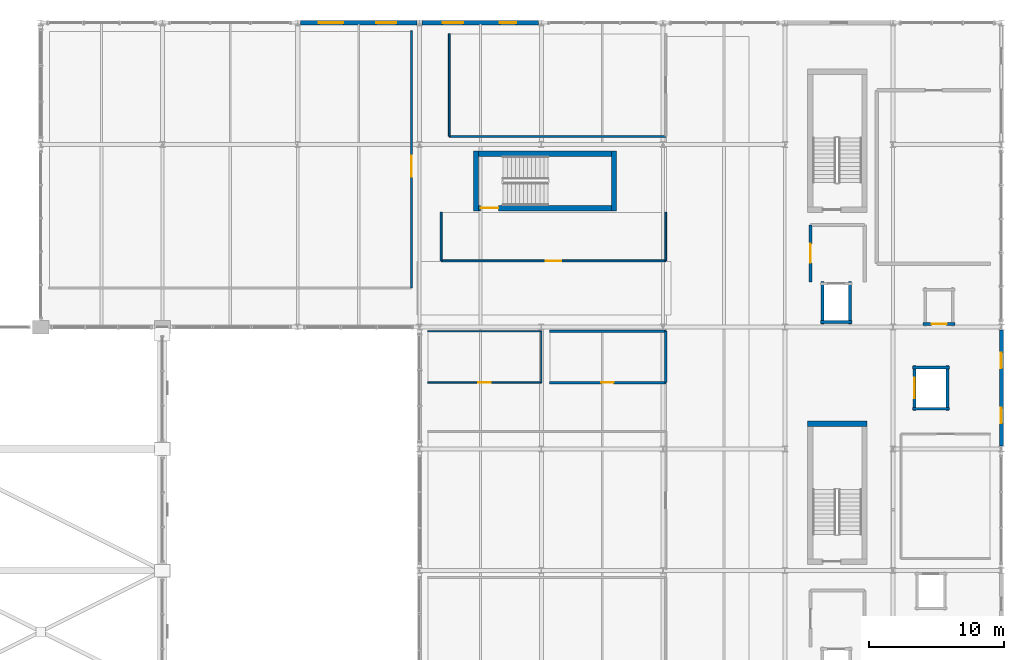
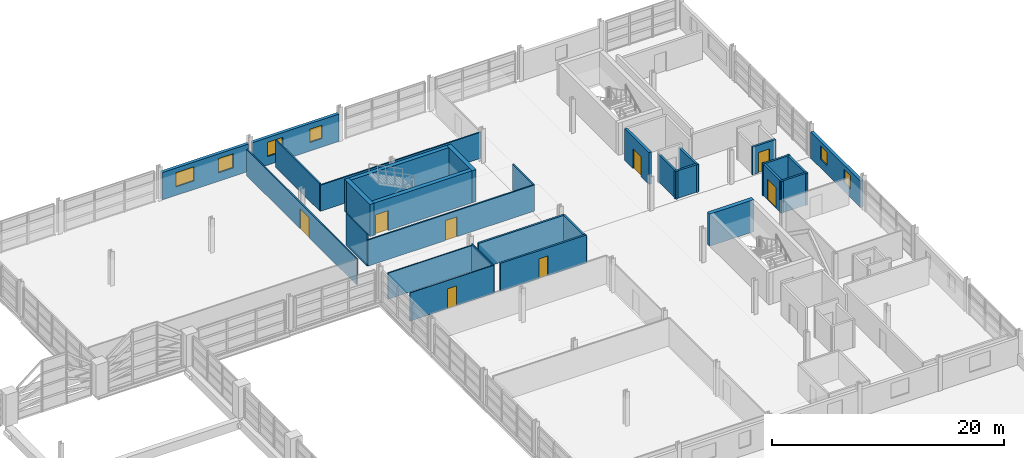
# One storey, part 102 of 116: 29 walls, 8 doors, 6 windows, 14 openings.
"""IFC4 building model written with IfcOpenShell, lengths in metres."""

from ifc_helpers import new_model, si_unit, direction, frame, frame_2d, origin, place, context, subcontext, project, spatial, rectangle, extrude, material, layer, layer_set, type_object, element, fill, save


model = new_model("IFC4")

# Units and contexts
model_context = context("Model", 3, precision=1e-05, world=origin(), true_north=direction((0.0, 1.0)))
body_context = subcontext(model_context, "Body", "Model", "MODEL_VIEW")
ifc_project = project(units=[si_unit("LENGTHUNIT", "METRE"), si_unit("AREAUNIT", "SQUARE_METRE"), si_unit("VOLUMEUNIT", "CUBIC_METRE"), si_unit("PLANEANGLEUNIT", "RADIAN"), si_unit("MASSUNIT", "GRAM", prefix="KILO")], contexts=[model_context])

# Site, building, storey
site_placement = place(None, origin())
site = spatial("IfcSite", under=ifc_project, at=site_placement, CompositionType="ELEMENT")
building_placement = place(site_placement, origin())
building = spatial("IfcBuilding", under=site, at=building_placement, Name="Chuanluo Vaults Station", CompositionType="ELEMENT")
storey_placement = place(building_placement, frame((0.0, 0.0, 10.800048828125)))
storey = spatial("IfcBuildingStorey", under=building, at=storey_placement, Name="L02", CompositionType="ELEMENT", Elevation=10.800048828125)

# Wall
ifc_material_1 = material(Name="Concrete C50", Category="concrete")
ifc_layer_1 = layer(ifc_material_1, 0.39990234375)
ifc_layer_set_1 = layer_set([ifc_layer_1], Name="Concrete C50")
wall_type_1 = type_object("IfcWallType", Name="WL-COR-400", PredefinedType="SHEAR", material=ifc_layer_set_1)
wall_1_placement = place(storey_placement, frame((178.08740234375, 96.37255859375, 0.0), z_axis=(0.0, 0.0, 1.0), x_axis=(-1.0, 0.0, 0.0)))
element("IfcWall", 1, at=wall_1_placement, inside=storey, type_object=wall_type_1, Name="Core K1 far shear wall", PredefinedType="SHEAR", context=body_context, shape_type="SweptSolid", body=[
    extrude(rectangle(XDim=4.419921875, YDim=0.39990234375, at=frame_2d((2.2099609375, 0.0))), origin(), (0.0, 0.0, 1.0), 3.3798828125),
])

# Wall, opening, door
wall_2_placement = place(storey_placement, frame((148.97509765625, 112.300048828125, 0.0), z_axis=(0.0, 0.0, 1.0), x_axis=(1.0, 0.0, 0.0)))
wall_2 = element("IfcWall", 2, at=wall_2_placement, inside=storey, type_object=wall_type_1, Name="Core K3 left shear wall", PredefinedType="SHEAR", context=body_context, shape_type="SweptSolid", body=[
    extrude(rectangle(XDim=10.597412109375, YDim=0.39990234375, at=frame_2d((5.298828125, 0.0))), origin(), (0.0, 0.0, 1.0), 3.3798828125),
])
opening_1_placement = place(wall_2_placement, frame((0.550048828125, 0.0, 0.0)))
opening_1 = element("IfcOpeningElement", 3, at=opening_1_placement, cuts=wall_2, Name="Opening FD-05", PredefinedType="OPENING", context=body_context, shape_type="SweptSolid", body=[
    extrude(rectangle(XDim=1.300048828125, YDim=2.10009765625, at=frame_2d((0.64990234375, 1.050048828125))), frame((0.0, 0.20995, 0.0), z_axis=(0.0, -1.0, 0.0), x_axis=(1.0, 0.0, 0.0)), (0.0, 0.0, 1.0), 0.4199),
])
ifc_material_2 = material(Name="Fire-rated steel leaf", Category="steel")
door_type_1 = type_object("IfcDoorType", Name="DR-FIR-1300x2100", OperationType="NOTDEFINED", PredefinedType="DOOR", material=ifc_material_2)
door_1_placement = place(opening_1_placement, origin())
door_1 = element("IfcDoor", 4, at=door_1_placement, inside=storey, type_object=door_type_1, Name="D-075 Stair ST-03 fire door", OperationType="SINGLE_SWING_RIGHT", OverallHeight=2.10009765625, OverallWidth=1.300048828125, PredefinedType="DOOR", context=body_context, shape_type="SweptSolid", body=[
    extrude(rectangle(XDim=1.300048828125, YDim=2.10009765625, at=frame_2d((0.64990234375, 1.050048828125))), frame((0.0, 0.02490234375, 0.0), z_axis=(0.0, -1.0, 0.0), x_axis=(1.0, 0.0, 0.0)), (0.0, 0.0, 1.0), 0.050048828125),
])
fill(opening_1, door_1)

# Walls
wall_3_placement = place(storey_placement, frame((159.572509765625, 116.320068359375, 0.0), z_axis=(0.0, 0.0, 1.0), x_axis=(-1.0, 0.0, 0.0)))
element("IfcWall", 5, at=wall_3_placement, inside=storey, type_object=wall_type_1, Name="Core K3 right shear wall", PredefinedType="SHEAR", context=body_context, shape_type="SweptSolid", body=[
    extrude(rectangle(XDim=10.597412109375, YDim=0.39990234375, at=frame_2d((5.298828125, 0.0))), origin(), (0.0, 0.0, 1.0), 3.3798828125),
])
for number, where, z_axis, x_axis, name in (
    (6, (159.37255859375, 112.10009765625, 0.0), (0.0, 0.0, 1.0), (0.0, 1.0, 0.0), "Core K3 far shear wall"),
    (7, (149.175048828125, 116.52001953125, 0.0), (0.0, 0.0, 1.0), (0.0, -1.0, 0.0), "Core K3 near shear wall"),
):
    element("IfcWall", number, at=place(storey_placement, frame(where, z_axis=z_axis, x_axis=x_axis)), inside=storey, type_object=wall_type_1, Name=name, PredefinedType="SHEAR", context=body_context, shape_type="SweptSolid", body=[
        extrude(rectangle(XDim=4.419921875, YDim=0.39990234375, at=frame_2d((2.2099609375, 0.0))), origin(), (0.0, 0.0, 1.0), 3.3798828125),
    ])

# Wall, openings, windows
ifc_material_3 = material(Name="Concrete C40", Category="concrete")
ifc_layer_2 = layer(ifc_material_3, 0.300048828125)
ifc_layer_set_2 = layer_set([ifc_layer_2], Name="Concrete C40")
wall_type_2 = type_object("IfcWallType", Name="WL-EXT-300", PredefinedType="SOLIDWALL", material=ifc_layer_set_2)
wall_4_placement = place(storey_placement, frame((136.199951171875, 126.0, 0.0), z_axis=(0.0, 0.0, 1.0), x_axis=(1.0, 0.0, 0.0)))
wall_4 = element("IfcWall", 8, at=wall_4_placement, inside=storey, type_object=wall_type_2, Name="L02 exterior punched wall 11", PredefinedType="SOLIDWALL", context=body_context, shape_type="SweptSolid", body=[
    extrude(rectangle(XDim=8.60009765625, YDim=0.300048828125, at=frame_2d((4.300048828125, 0.0))), origin(), (0.0, 0.0, 1.0), 2.89501953125),
])
opening_2_placement = place(wall_4_placement, frame((1.364990234375, 0.0, 0.89990234375)))
opening_2 = element("IfcOpeningElement", 9, at=opening_2_placement, cuts=wall_4, Name="Opening W-12", PredefinedType="OPENING", context=body_context, shape_type="SweptSolid", body=[
    extrude(rectangle(XDim=1.800048828125, YDim=1.5, at=frame_2d((0.89990234375, 0.75))), frame((0.0, 0.1599, 0.0), z_axis=(0.0, -1.0, 0.0), x_axis=(1.0, 0.0, 0.0)), (0.0, 0.0, 1.0), 0.32005),
])
opening_3_placement = place(wall_4_placement, frame((5.5849609375, 0.0, 0.89990234375)))
opening_3 = element("IfcOpeningElement", 10, at=opening_3_placement, cuts=wall_4, Name="Opening W-13", PredefinedType="OPENING", context=body_context, shape_type="SweptSolid", body=[
    extrude(rectangle(XDim=1.5, YDim=1.5, at=frame_2d((0.75, 0.75))), frame((0.0, 0.1599, 0.0), z_axis=(0.0, -1.0, 0.0), x_axis=(1.0, 0.0, 0.0)), (0.0, 0.0, 1.0), 0.32005),
])
ifc_material_4 = material(Name="Double-silver Low-E laminated glass", Category="glass")
window_type_1 = type_object("IfcWindowType", Name="WN-OPS-1500x1500", PartitioningType="SINGLE_PANEL", PredefinedType="WINDOW", material=ifc_material_4)
window_1_placement = place(opening_3_placement, origin())
window_1 = element("IfcWindow", 11, at=window_1_placement, inside=storey, type_object=window_type_1, Name="W-081 L02 facade window", OverallHeight=1.5, OverallWidth=1.5, PartitioningType="SINGLE_PANEL", PredefinedType="WINDOW", context=body_context, shape_type="SweptSolid", body=[
    extrude(rectangle(XDim=1.5, YDim=1.5, at=frame_2d((0.75, 0.75))), frame((0.0, 0.030029296875, 0.0), z_axis=(0.0, -1.0, 0.0), x_axis=(1.0, 0.0, 0.0)), (0.0, 0.0, 1.0), 0.06005859375),
])
fill(opening_3, window_1)
ifc_material_5 = material(Name="Double-silver Low-E laminated glass", Category="glass")
window_type_2 = type_object("IfcWindowType", Name="WN-OPS-1800x1500", PartitioningType="SINGLE_PANEL", PredefinedType="WINDOW", material=ifc_material_5)
window_2_placement = place(opening_2_placement, origin())
window_2 = element("IfcWindow", 12, at=window_2_placement, inside=storey, type_object=window_type_2, Name="W-080 L02 facade window", OverallHeight=1.5, OverallWidth=1.800048828125, PartitioningType="SINGLE_PANEL", PredefinedType="WINDOW", context=body_context, shape_type="SweptSolid", body=[
    extrude(rectangle(XDim=1.800048828125, YDim=1.5, at=frame_2d((0.89990234375, 0.75))), frame((0.0, 0.030029296875, 0.0), z_axis=(0.0, -1.0, 0.0), x_axis=(1.0, 0.0, 0.0)), (0.0, 0.0, 1.0), 0.06005859375),
])
fill(opening_2, window_2)

wall_5_placement = place(storey_placement, frame((145.199951171875, 126.0, 0.0), z_axis=(0.0, 0.0, 1.0), x_axis=(1.0, 0.0, 0.0)))
wall_5 = element("IfcWall", 13, at=wall_5_placement, inside=storey, type_object=wall_type_2, Name="L02 exterior punched wall 12", PredefinedType="SOLIDWALL", context=body_context, shape_type="SweptSolid", body=[
    extrude(rectangle(XDim=8.60009765625, YDim=0.300048828125, at=frame_2d((4.300048828125, 0.0))), origin(), (0.0, 0.0, 1.0), 2.89501953125),
])
opening_4_placement = place(wall_5_placement, frame((1.514892578125, 0.0, 0.89990234375)))
opening_4 = element("IfcOpeningElement", 14, at=opening_4_placement, cuts=wall_5, Name="Opening W-13", PredefinedType="OPENING", context=body_context, shape_type="SweptSolid", body=[
    extrude(rectangle(XDim=1.5, YDim=1.5, at=frame_2d((0.75, 0.75))), frame((0.0, 0.1599, 0.0), z_axis=(0.0, -1.0, 0.0), x_axis=(1.0, 0.0, 0.0)), (0.0, 0.0, 1.0), 0.32005),
])
opening_5_placement = place(wall_5_placement, frame((5.735107421875, 0.0, 0.89990234375)))
opening_5 = element("IfcOpeningElement", 15, at=opening_5_placement, cuts=wall_5, Name="Opening W-14", PredefinedType="OPENING", context=body_context, shape_type="SweptSolid", body=[
    extrude(rectangle(XDim=1.199951171875, YDim=1.39990234375, at=frame_2d((0.60009765625, 0.699951171875))), frame((0.0, 0.1599, 0.0), z_axis=(0.0, -1.0, 0.0), x_axis=(1.0, 0.0, 0.0)), (0.0, 0.0, 1.0), 0.32005),
])
ifc_material_6 = material(Name="Double-silver Low-E laminated glass", Category="glass")
window_type_3 = type_object("IfcWindowType", Name="WN-OPS-1200x1400", PartitioningType="SINGLE_PANEL", PredefinedType="WINDOW", material=ifc_material_6)
window_3_placement = place(opening_5_placement, origin())
window_3 = element("IfcWindow", 16, at=window_3_placement, inside=storey, type_object=window_type_3, Name="W-083 L02 facade window", OverallHeight=1.39990234375, OverallWidth=1.199951171875, PartitioningType="SINGLE_PANEL", PredefinedType="WINDOW", context=body_context, shape_type="SweptSolid", body=[
    extrude(rectangle(XDim=1.199951171875, YDim=1.39990234375, at=frame_2d((0.60009765625, 0.699951171875))), frame((0.0, 0.030029296875, 0.0), z_axis=(0.0, -1.0, 0.0), x_axis=(1.0, 0.0, 0.0)), (0.0, 0.0, 1.0), 0.06005859375),
])
fill(opening_5, window_3)
window_4_placement = place(opening_4_placement, origin())
window_4 = element("IfcWindow", 17, at=window_4_placement, inside=storey, type_object=window_type_1, Name="W-082 L02 facade window", OverallHeight=1.5, OverallWidth=1.5, PartitioningType="SINGLE_PANEL", PredefinedType="WINDOW", context=body_context, shape_type="SweptSolid", body=[
    extrude(rectangle(XDim=1.5, YDim=1.5, at=frame_2d((0.75, 0.75))), frame((0.0, 0.030029296875, 0.0), z_axis=(0.0, -1.0, 0.0), x_axis=(1.0, 0.0, 0.0)), (0.0, 0.0, 1.0), 0.06005859375),
])
fill(opening_4, window_4)

wall_6_placement = place(storey_placement, frame((188.0, 103.2958984375, 0.0), z_axis=(0.0, 0.0, 1.0), x_axis=(0.0, -1.0, 0.0)))
wall_6 = element("IfcWall", 18, at=wall_6_placement, inside=storey, type_object=wall_type_2, Name="L02 exterior punched wall 15", PredefinedType="SOLIDWALL", context=body_context, shape_type="SweptSolid", body=[
    extrude(rectangle(XDim=8.591796875, YDim=0.300048828125, at=frame_2d((4.2958984375, 0.0))), origin(), (0.0, 0.0, 1.0), 2.77490234375),
])
opening_6_placement = place(wall_6_placement, frame((1.68603515625, 0.0, 0.89990234375)))
opening_6 = element("IfcOpeningElement", 19, at=opening_6_placement, cuts=wall_6, Name="Opening W-49", PredefinedType="OPENING", context=body_context, shape_type="SweptSolid", body=[
    extrude(rectangle(XDim=1.14990234375, YDim=1.449951171875, at=frame_2d((0.574951171875, 0.72509765625))), frame((0.0, 0.1599, 0.0), z_axis=(0.0, -1.0, 0.0), x_axis=(1.0, 0.0, 0.0)), (0.0, 0.0, 1.0), 0.32005),
])
opening_7_placement = place(wall_6_placement, frame((5.756103515625, 0.0, 0.89990234375)))
opening_7 = element("IfcOpeningElement", 20, at=opening_7_placement, cuts=wall_6, Name="Opening W-49", PredefinedType="OPENING", context=body_context, shape_type="SweptSolid", body=[
    extrude(rectangle(XDim=1.14990234375, YDim=1.449951171875, at=frame_2d((0.574951171875, 0.72509765625))), frame((0.0, 0.1599, 0.0), z_axis=(0.0, -1.0, 0.0), x_axis=(1.0, 0.0, 0.0)), (0.0, 0.0, 1.0), 0.32005),
])
ifc_material_7 = material(Name="Double-silver Low-E laminated glass", Category="glass")
window_type_4 = type_object("IfcWindowType", Name="WN-OPS-1150x1450", PartitioningType="SINGLE_PANEL", PredefinedType="WINDOW", material=ifc_material_7)
window_5_placement = place(opening_6_placement, origin())
window_5 = element("IfcWindow", 21, at=window_5_placement, inside=storey, type_object=window_type_4, Name="W-087 L02 facade window", OverallHeight=1.449951171875, OverallWidth=1.14990234375, PartitioningType="SINGLE_PANEL", PredefinedType="WINDOW", context=body_context, shape_type="SweptSolid", body=[
    extrude(rectangle(XDim=1.14990234375, YDim=1.449951171875, at=frame_2d((0.574951171875, 0.72509765625))), frame((0.0, 0.030029296875, 0.0), z_axis=(0.0, -1.0, 0.0), x_axis=(1.0, 0.0, 0.0)), (0.0, 0.0, 1.0), 0.06005859375),
])
fill(opening_6, window_5)
window_6_placement = place(opening_7_placement, origin())
window_6 = element("IfcWindow", 22, at=window_6_placement, inside=storey, type_object=window_type_4, Name="W-088 L02 facade window", OverallHeight=1.449951171875, OverallWidth=1.14990234375, PartitioningType="SINGLE_PANEL", PredefinedType="WINDOW", context=body_context, shape_type="SweptSolid", body=[
    extrude(rectangle(XDim=1.14990234375, YDim=1.449951171875, at=frame_2d((0.574951171875, 0.72509765625))), frame((0.0, 0.030029296875, 0.0), z_axis=(0.0, -1.0, 0.0), x_axis=(1.0, 0.0, 0.0)), (0.0, 0.0, 1.0), 0.06005859375),
])
fill(opening_7, window_6)

# Wall, opening, door
ifc_material_8 = material(Name="Concrete C40", Category="concrete")
ifc_layer_3 = layer(ifc_material_8, 0.25)
ifc_layer_set_3 = layer_set([ifc_layer_3], Name="Concrete C40")
wall_type_3 = type_object("IfcWallType", Name="WL-FIR-250", PredefinedType="SOLIDWALL", material=ifc_layer_set_3)
wall_7_placement = place(storey_placement, frame((173.89990234375, 106.85009765625, 0.0), z_axis=(0.0, 0.0, 1.0), x_axis=(0.0, 1.0, 0.0)))
wall_7 = element("IfcWall", 23, at=wall_7_placement, inside=storey, type_object=wall_type_3, Name="L02-FFL-K2 Firefighting Lift Lobby FFL-02 L02 W partition", PredefinedType="SOLIDWALL", context=body_context, shape_type="SweptSolid", body=[
    extrude(rectangle(XDim=4.199951171875, YDim=0.25, at=frame_2d((2.10009765625, 0.0))), origin(), (0.0, 0.0, 1.0), 3.35498046875),
])
opening_8_placement = place(wall_7_placement, frame((1.39990234375, 0.0, 0.0)))
opening_8 = element("IfcOpeningElement", 24, at=opening_8_placement, cuts=wall_7, Name="Opening FD-04", PredefinedType="OPENING", context=body_context, shape_type="SweptSolid", body=[
    extrude(rectangle(XDim=1.39990234375, YDim=2.10009765625, at=frame_2d((0.699951171875, 1.050048828125))), frame((0.0, 0.135, 0.0), z_axis=(0.0, -1.0, 0.0), x_axis=(1.0, 0.0, 0.0)), (0.0, 0.0, 1.0), 0.27),
])
ifc_material_9 = material(Name="Fire-rated steel leaf", Category="steel")
door_type_2 = type_object("IfcDoorType", Name="DR-FIR-1400x2100", OperationType="NOTDEFINED", PredefinedType="DOOR", material=ifc_material_9)
door_2_placement = place(opening_8_placement, origin())
door_2 = element("IfcDoor", 25, at=door_2_placement, inside=storey, type_object=door_type_2, Name="D-277 Firefighting Lift Lobby FFL-02 L02 door", OperationType="SINGLE_SWING_RIGHT", OverallHeight=2.10009765625, OverallWidth=1.39990234375, PredefinedType="DOOR", context=body_context, shape_type="SweptSolid", body=[
    extrude(rectangle(XDim=1.39990234375, YDim=2.10009765625, at=frame_2d((0.699951171875, 1.050048828125))), frame((0.0, 0.02490234375, 0.0), z_axis=(0.0, -1.0, 0.0), x_axis=(1.0, 0.0, 0.0)), (0.0, 0.0, 1.0), 0.050048828125),
])
fill(opening_8, door_2)

ifc_material_10 = material(Name="Masonry blockwork M10", Category="masonry")
ifc_layer_4 = layer(ifc_material_10, 0.10009765625)
ifc_layer_set_4 = layer_set([ifc_layer_4], Name="Masonry blockwork M10")
wall_type_4 = type_object("IfcWallType", Name="WL-PRT-100", PredefinedType="PARTITIONING", material=ifc_layer_set_4)
wall_8_placement = place(storey_placement, frame((154.0, 99.39990234375, 0.0), z_axis=(0.0, 0.0, 1.0), x_axis=(-1.0, 0.0, 0.0)))
wall_8 = element("IfcWall", 26, at=wall_8_placement, inside=storey, type_object=wall_type_4, Name="L02-13 Level 2 Male Toilet S partition", PredefinedType="PARTITIONING", context=body_context, shape_type="SweptSolid", body=[
    extrude(rectangle(XDim=8.39990234375, YDim=0.10009765625, at=frame_2d((4.199951171875, 0.0))), origin(), (0.0, 0.0, 1.0), 2.96484375),
])
opening_9_placement = place(wall_8_placement, frame((3.75, 0.0, 0.0)))
opening_9 = element("IfcOpeningElement", 27, at=opening_9_placement, cuts=wall_8, Name="Opening D-WC1", PredefinedType="OPENING", context=body_context, shape_type="SweptSolid", body=[
    extrude(rectangle(XDim=0.89990234375, YDim=2.10009765625, at=frame_2d((0.449951171875, 1.050048828125))), frame((0.0, 0.06005, 0.0), z_axis=(0.0, -1.0, 0.0), x_axis=(1.0, 0.0, 0.0)), (0.0, 0.0, 1.0), 0.1201),
])
ifc_material_11 = material(Name="Anodised aluminium 6063-T6", Category="aluminium")
door_type_3 = type_object("IfcDoorType", Name="DR-WC-0900x2100", OperationType="NOTDEFINED", PredefinedType="DOOR", material=ifc_material_11)
door_3_placement = place(opening_9_placement, origin())
door_3 = element("IfcDoor", 28, at=door_3_placement, inside=storey, type_object=door_type_3, Name="D-210 Level 2 Male Toilet door", OperationType="SINGLE_SWING_LEFT", OverallHeight=2.10009765625, OverallWidth=0.89990234375, PredefinedType="DOOR", context=body_context, shape_type="SweptSolid", body=[
    extrude(rectangle(XDim=0.89990234375, YDim=2.10009765625, at=frame_2d((0.449951171875, 1.050048828125))), frame((0.0, 0.02490234375, 0.0), z_axis=(0.0, -1.0, 0.0), x_axis=(1.0, 0.0, 0.0)), (0.0, 0.0, 1.0), 0.050048828125),
])
fill(opening_9, door_3)

# Walls
wall_9_placement = place(storey_placement, frame((145.60009765625, 103.199951171875, 0.0), z_axis=(0.0, 0.0, 1.0), x_axis=(1.0, 0.0, 0.0)))
element("IfcWall", 29, at=wall_9_placement, inside=storey, type_object=wall_type_4, Name="L02-13 Level 2 Male Toilet N partition", PredefinedType="PARTITIONING", context=body_context, shape_type="SweptSolid", body=[
    extrude(rectangle(XDim=8.39990234375, YDim=0.10009765625, at=frame_2d((4.199951171875, 0.0))), origin(), (0.0, 0.0, 1.0), 2.7548828125),
])
wall_10_placement = place(storey_placement, frame((154.0, 103.199951171875, 0.0), z_axis=(0.0, 0.0, 1.0), x_axis=(0.0, -1.0, 0.0)))
element("IfcWall", 30, at=wall_10_placement, inside=storey, type_object=wall_type_4, Name="L02-13 Level 2 Male Toilet E partition", PredefinedType="PARTITIONING", context=body_context, shape_type="SweptSolid", body=[
    extrude(rectangle(XDim=3.800048828125, YDim=0.10009765625, at=frame_2d((1.89990234375, 0.0))), origin(), (0.0, 0.0, 1.0), 2.9150390625),
])

# Wall, opening, door
ifc_material_12 = material(Name="Masonry blockwork M10", Category="masonry")
ifc_layer_5 = layer(ifc_material_12, 0.1298828125)
ifc_layer_set_5 = layer_set([ifc_layer_5], Name="Masonry blockwork M10")
wall_type_5 = type_object("IfcWallType", Name="WL-PRT-130", PredefinedType="PARTITIONING", material=ifc_layer_set_5)
wall_11_placement = place(storey_placement, frame((144.39990234375, 125.39990234375, 0.0), z_axis=(0.0, 0.0, 1.0), x_axis=(0.0, -1.0, 0.0)))
wall_11 = element("IfcWall", 31, at=wall_11_placement, inside=storey, type_object=wall_type_5, Name="L02-10 Train Crew Briefing Hall E partition", PredefinedType="PARTITIONING", context=body_context, shape_type="SweptSolid", body=[
    extrude(rectangle(XDim=19.0, YDim=0.1298828125, at=frame_2d((9.5, 0.0))), origin(), (0.0, 0.0, 1.0), 2.7548828125),
])
opening_10_placement = place(wall_11_placement, frame((9.22509765625, 0.0, 0.0)))
opening_10 = element("IfcOpeningElement", 32, at=opening_10_placement, cuts=wall_11, Name="Opening D-I03", PredefinedType="OPENING", context=body_context, shape_type="SweptSolid", body=[
    extrude(rectangle(XDim=1.550048828125, YDim=2.10009765625, at=frame_2d((0.77490234375, 1.050048828125))), frame((0.0, 0.07494, 0.0), z_axis=(0.0, -1.0, 0.0), x_axis=(1.0, 0.0, 0.0)), (0.0, 0.0, 1.0), 0.14988),
])
ifc_material_13 = material(Name="Anodised aluminium 6063-T6", Category="aluminium")
door_type_4 = type_object("IfcDoorType", Name="DR-INT-1550x2100", OperationType="NOTDEFINED", PredefinedType="DOOR", material=ifc_material_13)
door_4_placement = place(opening_10_placement, origin())
door_4 = element("IfcDoor", 33, at=door_4_placement, inside=storey, type_object=door_type_4, Name="D-207 Train Crew Briefing Hall door", OperationType="SINGLE_SWING_RIGHT", OverallHeight=2.10009765625, OverallWidth=1.550048828125, PredefinedType="DOOR", context=body_context, shape_type="SweptSolid", body=[
    extrude(rectangle(XDim=1.550048828125, YDim=2.10009765625, at=frame_2d((0.77490234375, 1.050048828125))), frame((0.0, 0.02490234375, 0.0), z_axis=(0.0, -1.0, 0.0), x_axis=(1.0, 0.0, 0.0)), (0.0, 0.0, 1.0), 0.050048828125),
])
fill(opening_10, door_4)

# Walls
wall_12_placement = place(storey_placement, frame((163.199951171875, 117.60009765625, 0.0), z_axis=(0.0, 0.0, 1.0), x_axis=(-1.0, 0.0, 0.0)))
element("IfcWall", 34, at=wall_12_placement, inside=storey, type_object=wall_type_5, Name="L02-19 North Crew Training Room S partition", PredefinedType="PARTITIONING", context=body_context, shape_type="SweptSolid", body=[
    extrude(rectangle(XDim=16.0, YDim=0.1298828125, at=frame_2d((8.0, 0.0))), origin(), (0.0, 0.0, 1.0), 2.7548828125),
])
wall_13_placement = place(storey_placement, frame((147.199951171875, 117.60009765625, 0.0), z_axis=(0.0, 0.0, 1.0), x_axis=(0.0, 1.0, 0.0)))
element("IfcWall", 35, at=wall_13_placement, inside=storey, type_object=wall_type_5, Name="L02-19 North Crew Training Room W partition", PredefinedType="PARTITIONING", context=body_context, shape_type="SweptSolid", body=[
    extrude(rectangle(XDim=7.599853515625, YDim=0.1298828125, at=frame_2d((3.7998046875, 0.0))), origin(), (0.0, 0.0, 1.0), 2.89501953125),
])

# Wall, opening, door
ifc_material_14 = material(Name="Autoclaved aerated concrete blockwork MU10", Category="masonry")
ifc_layer_6 = layer(ifc_material_14, 0.139892578125)
ifc_layer_set_6 = layer_set([ifc_layer_6], Name="Autoclaved aerated concrete blockwork MU10")
wall_type_6 = type_object("IfcWallType", Name="WL-PRT-140", PredefinedType="PARTITIONING", material=ifc_layer_set_6)
wall_14_placement = place(storey_placement, frame((163.199951171875, 108.39990234375, 0.0), z_axis=(0.0, 0.0, 1.0), x_axis=(-1.0, 0.0, 0.0)))
wall_14 = element("IfcWall", 36, at=wall_14_placement, inside=storey, type_object=wall_type_6, Name="L02-18 North Staff Reading Room S partition", PredefinedType="PARTITIONING", context=body_context, shape_type="SweptSolid", body=[
    extrude(rectangle(XDim=16.599853515625, YDim=0.139892578125, at=frame_2d((8.2998046875, 0.0))), origin(), (0.0, 0.0, 1.0), 2.7548828125),
])
opening_11_placement = place(wall_14_placement, frame((7.72509765625, 0.0, 0.0)))
opening_11 = element("IfcOpeningElement", 37, at=opening_11_placement, cuts=wall_14, Name="Opening D-I06", PredefinedType="OPENING", context=body_context, shape_type="SweptSolid", body=[
    extrude(rectangle(XDim=1.14990234375, YDim=2.10009765625, at=frame_2d((0.574951171875, 1.050048828125))), frame((0.0, 0.07982, 0.0), z_axis=(0.0, -1.0, 0.0), x_axis=(1.0, 0.0, 0.0)), (0.0, 0.0, 1.0), 0.15989),
])
ifc_material_15 = material(Name="Anodised aluminium 6063-T6", Category="aluminium")
door_type_5 = type_object("IfcDoorType", Name="DR-INT-1150x2100", OperationType="NOTDEFINED", PredefinedType="DOOR", material=ifc_material_15)
door_5_placement = place(opening_11_placement, origin())
door_5 = element("IfcDoor", 38, at=door_5_placement, inside=storey, type_object=door_type_5, Name="D-213 North Staff Reading Room door", OperationType="SINGLE_SWING_RIGHT", OverallHeight=2.10009765625, OverallWidth=1.14990234375, PredefinedType="DOOR", context=body_context, shape_type="SweptSolid", body=[
    extrude(rectangle(XDim=1.14990234375, YDim=2.10009765625, at=frame_2d((0.574951171875, 1.050048828125))), frame((0.0, 0.02490234375, 0.0), z_axis=(0.0, -1.0, 0.0), x_axis=(1.0, 0.0, 0.0)), (0.0, 0.0, 1.0), 0.050048828125),
])
fill(opening_11, door_5)

# Walls
wall_15_placement = place(storey_placement, frame((146.60009765625, 108.39990234375, 0.0), z_axis=(0.0, 0.0, 1.0), x_axis=(0.0, 1.0, 0.0)))
element("IfcWall", 39, at=wall_15_placement, inside=storey, type_object=wall_type_6, Name="L02-18 North Staff Reading Room W partition", PredefinedType="PARTITIONING", context=body_context, shape_type="SweptSolid", body=[
    extrude(rectangle(XDim=3.60009765625, YDim=0.139892578125, at=frame_2d((1.800048828125, 0.0))), origin(), (0.0, 0.0, 1.0), 3.35498046875),
])
wall_16_placement = place(storey_placement, frame((163.199951171875, 112.0, 0.0), z_axis=(0.0, 0.0, 1.0), x_axis=(0.0, -1.0, 0.0)))
element("IfcWall", 40, at=wall_16_placement, inside=storey, type_object=wall_type_6, Name="L02-18 North Staff Reading Room E partition", PredefinedType="PARTITIONING", context=body_context, shape_type="SweptSolid", body=[
    extrude(rectangle(XDim=3.60009765625, YDim=0.139892578125, at=frame_2d((1.800048828125, 0.0))), origin(), (0.0, 0.0, 1.0), 2.7548828125),
])

# Wall, opening, door
ifc_material_16 = material(Name="Autoclaved aerated concrete blockwork MU10", Category="masonry")
ifc_layer_7 = layer(ifc_material_16, 0.18994140625)
ifc_layer_set_7 = layer_set([ifc_layer_7], Name="Autoclaved aerated concrete blockwork MU10")
wall_type_7 = type_object("IfcWallType", Name="WL-PRT-190", PredefinedType="PARTITIONING", material=ifc_layer_set_7)
wall_17_placement = place(storey_placement, frame((163.199951171875, 99.39990234375, 0.0), z_axis=(0.0, 0.0, 1.0), x_axis=(-1.0, 0.0, 0.0)))
wall_17 = element("IfcWall", 41, at=wall_17_placement, inside=storey, type_object=wall_type_7, Name="L02-14 Level 2 Female Toilet S partition", PredefinedType="PARTITIONING", context=body_context, shape_type="SweptSolid", body=[
    extrude(rectangle(XDim=8.599853515625, YDim=0.18994140625, at=frame_2d((4.2998046875, 0.0))), origin(), (0.0, 0.0, 1.0), 2.96484375),
])
opening_12_placement = place(wall_17_placement, frame((3.85009765625, 0.0, 0.0)))
opening_12 = element("IfcOpeningElement", 42, at=opening_12_placement, cuts=wall_17, Name="Opening D-WC1", PredefinedType="OPENING", context=body_context, shape_type="SweptSolid", body=[
    extrude(rectangle(XDim=0.89990234375, YDim=2.10009765625, at=frame_2d((0.449951171875, 1.050048828125))), frame((0.0, 0.10497, 0.0), z_axis=(0.0, -1.0, 0.0), x_axis=(1.0, 0.0, 0.0)), (0.0, 0.0, 1.0), 0.20994),
])
door_6_placement = place(opening_12_placement, origin())
door_6 = element("IfcDoor", 43, at=door_6_placement, inside=storey, type_object=door_type_3, Name="D-211 Level 2 Female Toilet door", OperationType="SINGLE_SWING_RIGHT", OverallHeight=2.10009765625, OverallWidth=0.89990234375, PredefinedType="DOOR", context=body_context, shape_type="SweptSolid", body=[
    extrude(rectangle(XDim=0.89990234375, YDim=2.10009765625, at=frame_2d((0.449951171875, 1.050048828125))), frame((0.0, 0.02490234375, 0.0), z_axis=(0.0, -1.0, 0.0), x_axis=(1.0, 0.0, 0.0)), (0.0, 0.0, 1.0), 0.050048828125),
])
fill(opening_12, door_6)

# Walls
wall_18_placement = place(storey_placement, frame((154.60009765625, 103.199951171875, 0.0), z_axis=(0.0, 0.0, 1.0), x_axis=(1.0, 0.0, 0.0)))
element("IfcWall", 44, at=wall_18_placement, inside=storey, type_object=wall_type_7, Name="L02-14 Level 2 Female Toilet N partition", PredefinedType="PARTITIONING", context=body_context, shape_type="SweptSolid", body=[
    extrude(rectangle(XDim=8.599853515625, YDim=0.18994140625, at=frame_2d((4.2998046875, 0.0))), origin(), (0.0, 0.0, 1.0), 2.7548828125),
])
wall_19_placement = place(storey_placement, frame((163.199951171875, 103.199951171875, 0.0), z_axis=(0.0, 0.0, 1.0), x_axis=(0.0, -1.0, 0.0)))
element("IfcWall", 45, at=wall_19_placement, inside=storey, type_object=wall_type_7, Name="L02-14 Level 2 Female Toilet E partition", PredefinedType="PARTITIONING", context=body_context, shape_type="SweptSolid", body=[
    extrude(rectangle(XDim=3.800048828125, YDim=0.18994140625, at=frame_2d((1.89990234375, 0.0))), origin(), (0.0, 0.0, 1.0), 2.7548828125),
])
ifc_material_17 = material(Name="Concrete C40", Category="concrete")
ifc_layer_8 = layer(ifc_material_17, 0.199951171875)
ifc_layer_set_8 = layer_set([ifc_layer_8], Name="Concrete C40")
wall_type_8 = type_object("IfcWallType", Name="WL-SHF-200", PredefinedType="SOLIDWALL", material=ifc_layer_set_8)
wall_20_placement = place(storey_placement, frame((174.6298828125, 103.8798828125, 0.0), z_axis=(0.0, 0.0, 1.0), x_axis=(1.0, 0.0, 0.0)))
element("IfcWall", 46, at=wall_20_placement, inside=storey, type_object=wall_type_8, Name="Lift FFL-02 shaft wall L02 -Y", PredefinedType="SOLIDWALL", context=body_context, shape_type="SweptSolid", body=[
    extrude(rectangle(XDim=2.340087890625, YDim=0.199951171875, at=frame_2d((1.169921875, 0.0))), origin(), (0.0, 0.0, 1.0), 2.9150390625),
])
for number, where, z_axis, x_axis, name in (
    (47, (174.780029296875, 106.8701171875, 0.0), (0.0, 0.0, 1.0), (0.0, -1.0, 0.0), "Lift FFL-02 shaft wall L02 -X"),
    (48, (176.820068359375, 103.72998046875, 0.0), (0.0, 0.0, 1.0), (0.0, 1.0, 0.0), "Lift FFL-02 shaft wall L02 +X"),
):
    element("IfcWall", number, at=place(storey_placement, frame(where, z_axis=z_axis, x_axis=x_axis)), inside=storey, type_object=wall_type_8, Name=name, PredefinedType="SOLIDWALL", context=body_context, shape_type="SweptSolid", body=[
        extrude(rectangle(XDim=3.14013671875, YDim=0.199951171875, at=frame_2d((1.570068359375, 0.0))), origin(), (0.0, 0.0, 1.0), 2.9150390625),
    ])

# Wall, opening, door
wall_21_placement = place(storey_placement, frame((182.22998046875, 103.72998046875, 0.0), z_axis=(0.0, 0.0, 1.0), x_axis=(1.0, 0.0, 0.0)))
wall_21 = element("IfcWall", 49, at=wall_21_placement, inside=storey, type_object=wall_type_8, Name="Lift EL-04 shaft wall L02 -Y", PredefinedType="SOLIDWALL", context=body_context, shape_type="SweptSolid", body=[
    extrude(rectangle(XDim=2.340087890625, YDim=0.199951171875, at=frame_2d((1.169921875, 0.0))), origin(), (0.0, 0.0, 1.0), 2.9150390625),
])
opening_13_placement = place(wall_21_placement, frame((0.6201171875, 0.0, 0.0)))
opening_13 = element("IfcOpeningElement", 50, at=opening_13_placement, cuts=wall_21, Name="Opening LD-01", PredefinedType="OPENING", context=body_context, shape_type="SweptSolid", body=[
    extrude(rectangle(XDim=1.10009765625, YDim=2.14990234375, at=frame_2d((0.550048828125, 1.074951171875))), frame((0.0, 0.1101, 0.0), z_axis=(0.0, -1.0, 0.0), x_axis=(1.0, 0.0, 0.0)), (0.0, 0.0, 1.0), 0.21995),
])
ifc_material_18 = material(Name="Brushed stainless steel 304", Category="steel")
door_type_6 = type_object("IfcDoorType", Name="DR-LFT-1100x2150", OperationType="SLIDING_TO_LEFT", PredefinedType="DOOR", material=ifc_material_18)
door_7_placement = place(opening_13_placement, origin())
door_7 = element("IfcDoor", 51, at=door_7_placement, inside=storey, type_object=door_type_6, Name="LD-EL-04-04 Lift EL-04 sliding landing door L02", OperationType="SLIDING_TO_LEFT", OverallHeight=2.14990234375, OverallWidth=1.10009765625, PredefinedType="DOOR", context=body_context, shape_type="SweptSolid", body=[
    extrude(rectangle(XDim=1.10009765625, YDim=2.14990234375, at=frame_2d((0.550048828125, 1.074951171875))), frame((0.0, 0.02490234375, 0.0), z_axis=(0.0, -1.0, 0.0), x_axis=(1.0, 0.0, 0.0)), (0.0, 0.0, 1.0), 0.050048828125),
])
fill(opening_13, door_7)

# Walls
for number, where, z_axis, x_axis, name in (
    (52, (181.429931640625, 97.47998046875, 0.0), (0.0, 0.0, 1.0), (1.0, 0.0, 0.0), "Lift GL-02 shaft wall L02 -Y"),
    (53, (184.169921875, 100.52001953125, 0.0), (0.0, 0.0, 1.0), (-1.0, 0.0, 0.0), "Lift GL-02 shaft wall L02 +Y"),
):
    element("IfcWall", number, at=place(storey_placement, frame(where, z_axis=z_axis, x_axis=x_axis)), inside=storey, type_object=wall_type_8, Name=name, PredefinedType="SOLIDWALL", context=body_context, shape_type="SweptSolid", body=[
        extrude(rectangle(XDim=2.739990234375, YDim=0.199951171875, at=frame_2d((1.3701171875, 0.0))), origin(), (0.0, 0.0, 1.0), 3.35498046875),
    ])

# Wall, opening, door
wall_22_placement = place(storey_placement, frame((181.580078125, 100.669921875, 0.0), z_axis=(0.0, 0.0, 1.0), x_axis=(0.0, -1.0, 0.0)))
wall_22 = element("IfcWall", 54, at=wall_22_placement, inside=storey, type_object=wall_type_8, Name="Lift GL-02 shaft wall L02 -X", PredefinedType="SOLIDWALL", context=body_context, shape_type="SweptSolid", body=[
    extrude(rectangle(XDim=3.33984375, YDim=0.199951171875, at=frame_2d((1.669921875, 0.0))), origin(), (0.0, 0.0, 1.0), 3.35498046875),
])
opening_14_placement = place(wall_22_placement, frame((0.919921875, 0.0, 0.0)))
opening_14 = element("IfcOpeningElement", 55, at=opening_14_placement, cuts=wall_22, Name="Opening LD-03", PredefinedType="OPENING", context=body_context, shape_type="SweptSolid", body=[
    extrude(rectangle(XDim=1.5, YDim=2.199951171875, at=frame_2d((0.75, 1.10009765625))), frame((0.0, 0.1101, 0.0), z_axis=(0.0, -1.0, 0.0), x_axis=(1.0, 0.0, 0.0)), (0.0, 0.0, 1.0), 0.21995),
])
ifc_material_19 = material(Name="Brushed stainless steel 304", Category="steel")
door_type_7 = type_object("IfcDoorType", Name="DR-LFT-1500x2200", OperationType="SLIDING_TO_LEFT", PredefinedType="DOOR", material=ifc_material_19)
door_8_placement = place(opening_14_placement, origin())
door_8 = element("IfcDoor", 56, at=door_8_placement, inside=storey, type_object=door_type_7, Name="LD-GL-02-04 Lift GL-02 sliding landing door L02", OperationType="SLIDING_TO_LEFT", OverallHeight=2.199951171875, OverallWidth=1.5, PredefinedType="DOOR", context=body_context, shape_type="SweptSolid", body=[
    extrude(rectangle(XDim=1.5, YDim=2.199951171875, at=frame_2d((0.75, 1.10009765625))), frame((0.0, 0.02490234375, 0.0), z_axis=(0.0, -1.0, 0.0), x_axis=(1.0, 0.0, 0.0)), (0.0, 0.0, 1.0), 0.050048828125),
])
fill(opening_14, door_8)

# Wall
wall_23_placement = place(storey_placement, frame((184.02001953125, 97.330078125, 0.0), z_axis=(0.0, 0.0, 1.0), x_axis=(0.0, 1.0, 0.0)))
element("IfcWall", 57, at=wall_23_placement, inside=storey, type_object=wall_type_8, Name="Lift GL-02 shaft wall L02 +X", PredefinedType="SOLIDWALL", context=body_context, shape_type="SweptSolid", body=[
    extrude(rectangle(XDim=3.33984375, YDim=0.199951171875, at=frame_2d((1.669921875, 0.0))), origin(), (0.0, 0.0, 1.0), 3.35498046875),
])

save(model, "model.ifc")
